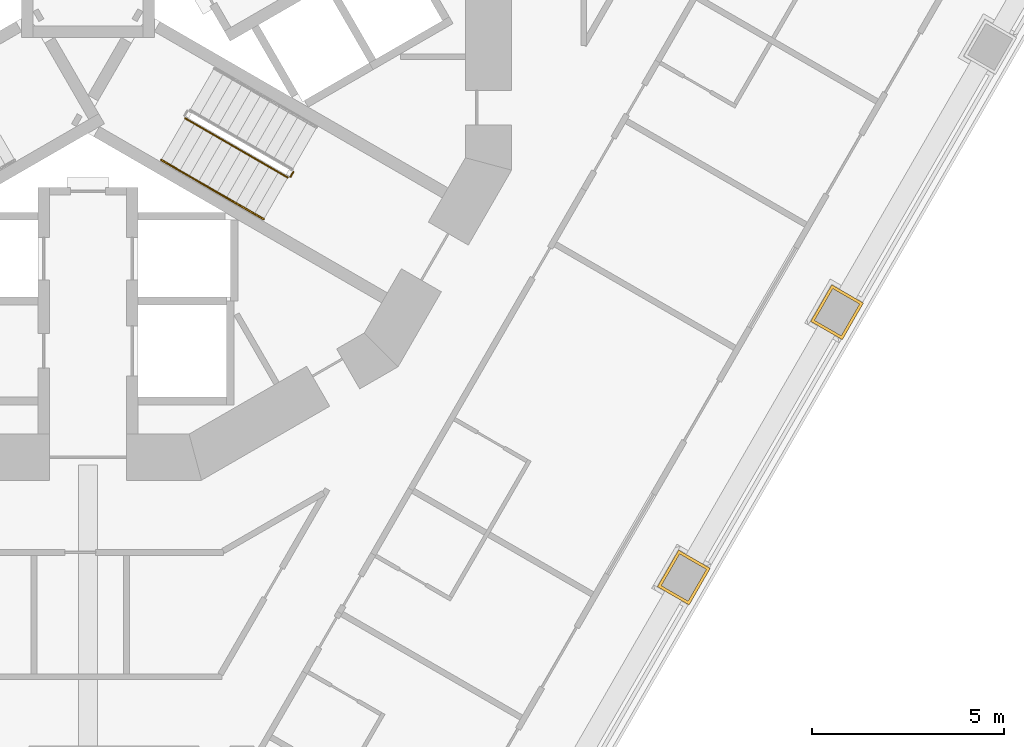
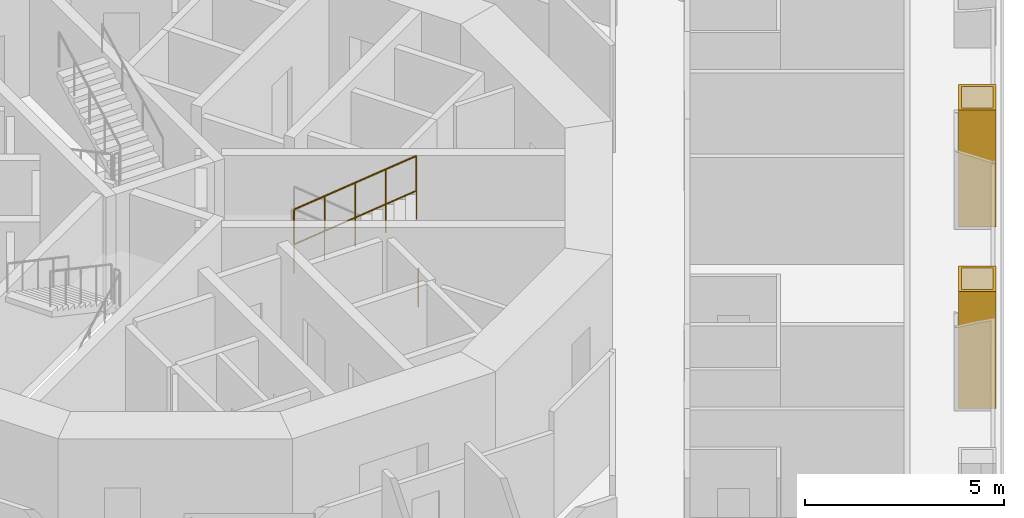
# One storey, part 15 of 20: 4 railings, 2 coverings.
"""IFC4 building model written with IfcOpenShell, lengths in metres."""

from ifc_helpers import new_model, si_unit, direction, frame, origin, origin_2d, place, context, subcontext, project, spatial, polyline, circle, outline, extrude, material, layer, layer_set, type_object, element, save


model = new_model("IFC4")

# Units and contexts
model_context = context("Model", 3, precision=1e-05, world=origin(), true_north=direction((0.0, 1.0)))
body_context = subcontext(model_context, "Body", "Model", "MODEL_VIEW")
ifc_project = project(units=[si_unit("LENGTHUNIT", "METRE"), si_unit("AREAUNIT", "SQUARE_METRE"), si_unit("VOLUMEUNIT", "CUBIC_METRE"), si_unit("PLANEANGLEUNIT", "RADIAN"), si_unit("MASSUNIT", "GRAM", prefix="KILO")], contexts=[model_context])

# Site, building, storey
site_placement = place(None, origin())
site = spatial("IfcSite", under=ifc_project, at=site_placement, CompositionType="ELEMENT")
building_placement = place(site_placement, origin())
building = spatial("IfcBuilding", under=site, at=building_placement, Name="Trine Commons Tower", CompositionType="ELEMENT")
storey_placement = place(building_placement, frame((0.0, 0.0, 35.10009765625)))
storey = spatial("IfcBuildingStorey", under=building, at=storey_placement, Name="L07", CompositionType="ELEMENT", Elevation=35.10009765625)

# Coverings
ifc_material_1 = material(Name="Limestone, honed", Category="masonry")
ifc_layer = layer(ifc_material_1, 0.074951171875)
ifc_layer_set = layer_set([ifc_layer], Name="Limestone, honed")
covering_type = type_object("IfcCoveringType", Name="Limestone column cladding 75", PredefinedType="CLADDING", material=ifc_layer_set)
covering_1_placement = place(storey_placement, origin())
element("IfcCovering", 1, at=covering_1_placement, inside=storey, type_object=covering_type, Name="Limestone pier cladding 1-20", PredefinedType="CLADDING", context=body_context, shape_type="SweptSolid", body=[
    extrude(outline(polyline([(100.15771484375, 56.0947265625), (99.334716796875, 56.569580078125), (98.784912109375, 55.6171875), (99.607666015625, 55.14208984375), (100.15771484375, 56.0947265625)]), holes=[polyline([(100.05517578125, 56.0673828125), (99.3623046875, 56.46728515625), (98.88720703125, 55.64453125), (99.580078125, 55.244384765625), (100.05517578125, 56.0673828125)])]), origin(), (0.0, 0.0, 1.0), 3.599853515625),
])
covering_2_placement = place(storey_placement, origin())
element("IfcCovering", 2, at=covering_2_placement, inside=storey, type_object=covering_type, Name="Limestone pier cladding 1-21", PredefinedType="CLADDING", context=body_context, shape_type="SweptSolid", body=[
    extrude(outline(polyline([(96.17578125, 49.1982421875), (95.35302734375, 49.67333984375), (94.802978515625, 48.720703125), (95.6259765625, 48.24560546875), (96.17578125, 49.1982421875)]), holes=[polyline([(96.073486328125, 49.1708984375), (95.380615234375, 49.57080078125), (94.905517578125, 48.748046875), (95.598388671875, 48.34814453125), (96.073486328125, 49.1708984375)])]), origin(), (0.0, 0.0, 1.0), 3.599853515625),
])

# Railings
ifc_material_2 = material(Name="Stainless steel balustrade", Category="steel")
railing_type_1 = type_object("IfcRailingType", Name="Stair guard, steel balustrade 1100", PredefinedType="GUARDRAIL", material=ifc_material_2)
railing_1_placement = place(storey_placement, frame((82.52734375, 60.896484375, 1.949951171875)))
element("IfcRailing", 3, at=railing_1_placement, inside=storey, type_object=railing_type_1, Name="L07 ST3A stair guard 3", PredefinedType="GUARDRAIL", context=body_context, shape_type="SweptSolid", body=[
    extrude(circle(Radius=0.02392578125, at=origin_2d()), frame((0.0, 0.0, 1.076171875), z_axis=(0.76340495495, -0.440743040072, 0.472184759798), x_axis=(0.499992328818, 0.866029832698, 0.0)), (0.0, 0.0, 1.0), 3.494140625),
    extrude(circle(Radius=0.02099609375, at=origin_2d()), origin(), (0.0, 0.0, 1.0), 1.052001953125),
    extrude(circle(Radius=0.02099609375, at=origin_2d()), frame((0.6669921875, -0.385009765625, 0.41259765625)), (0.0, 0.0, 1.0), 1.052001953125),
    extrude(circle(Radius=0.02099609375, at=origin_2d()), frame((1.333740234375, -0.77001953125, 0.824951171875)), (0.0, 0.0, 1.0), 1.052001953125),
    extrude(circle(Radius=0.02099609375, at=origin_2d()), frame((2.00048828125, -1.155029296875, 1.2373046875)), (0.0, 0.0, 1.0), 1.052001953125),
    extrude(circle(Radius=0.02099609375, at=origin_2d()), frame((2.66748046875, -1.5400390625, 1.64990234375)), (0.0, 0.0, 1.0), 1.052001953125),
])
railing_2_placement = place(storey_placement, frame((85.338134765625, 59.504638671875, 0.0)))
element("IfcRailing", 4, at=railing_2_placement, inside=storey, type_object=railing_type_1, Name="L07 ST3A stair guard 4", PredefinedType="GUARDRAIL", context=body_context, shape_type="SweptSolid", body=[
    extrude(circle(Radius=0.02392578125, at=origin_2d()), frame((0.0, 0.0, 1.076171875), z_axis=(-0.499816412211, -0.866131372301, 0.0), x_axis=(0.866131372301, -0.499816412211, 0.0)), (0.0, 0.0, 1.0), 0.14990234375),
    extrude(circle(Radius=0.02099609375, at=origin_2d()), origin(), (0.0, 0.0, 1.0), 1.052001953125),
    extrude(circle(Radius=0.02099609375, at=origin_2d()), frame((-0.074951171875, -0.1298828125, 0.0)), (0.0, 0.0, 1.0), 1.052001953125),
])
ifc_material_3 = material(Name="Stainless steel handrail", Category="steel")
railing_type_2 = type_object("IfcRailingType", Name="Stair handrail, steel 900", PredefinedType="HANDRAIL", material=ifc_material_3)
for number, where, name in (
    (5, (81.90234375, 59.81396484375, 1.949951171875), "L07 ST3A stair handrail 3"),
    (6, (83.236083984375, 59.0439453125, 2.77490234375), "L07 ST3A stair handrail 4"),
):
    element("IfcRailing", number, at=place(storey_placement, frame(where)), inside=storey, type_object=railing_type_2, Name=name, PredefinedType="HANDRAIL", context=body_context, shape_type="SweptSolid", body=[
        extrude(circle(Radius=0.02099609375, at=origin_2d()), frame((0.0, 0.0, 0.87890625), z_axis=(0.76340495495, -0.440743040072, 0.472184759798), x_axis=(0.499992328818, 0.866029832698, 0.0)), (0.0, 0.0, 1.0), 1.7470703125),
        extrude(circle(Radius=0.01513671875, at=origin_2d()), origin(), (0.0, 0.0, 1.0), 0.85791015625),
        extrude(circle(Radius=0.01513671875, at=origin_2d()), frame((0.6669921875, -0.385009765625, 0.41259765625)), (0.0, 0.0, 1.0), 0.85791015625),
        extrude(circle(Radius=0.01513671875, at=origin_2d()), frame((1.333740234375, -0.77001953125, 0.824951171875)), (0.0, 0.0, 1.0), 0.85791015625),
    ])

save(model, "model.ifc")
